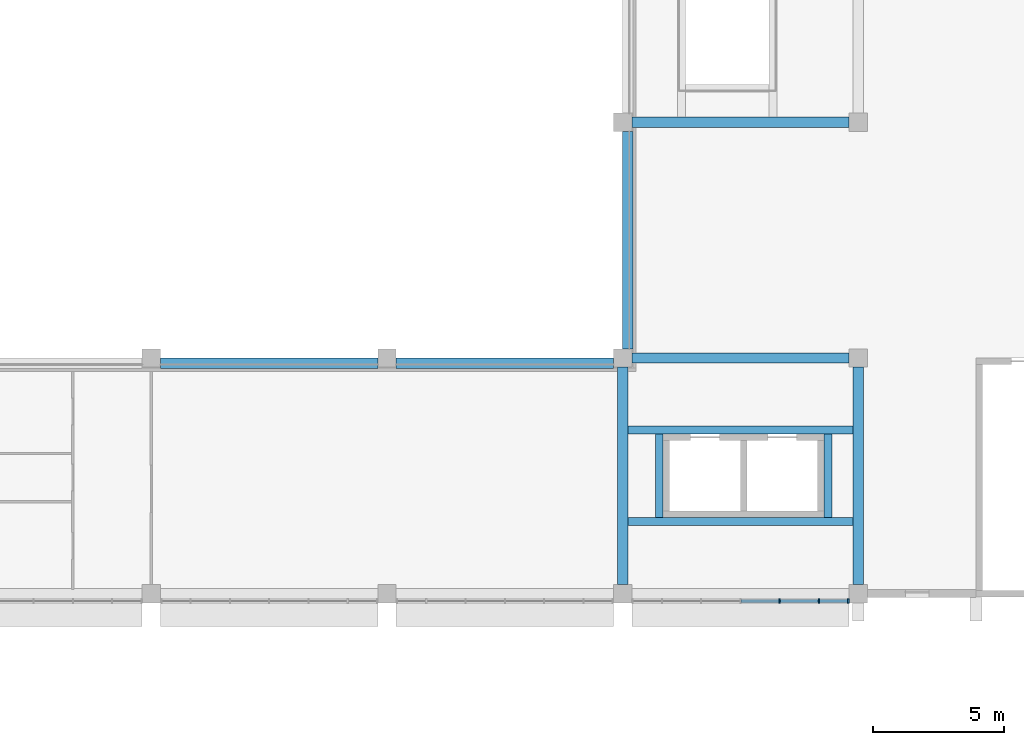
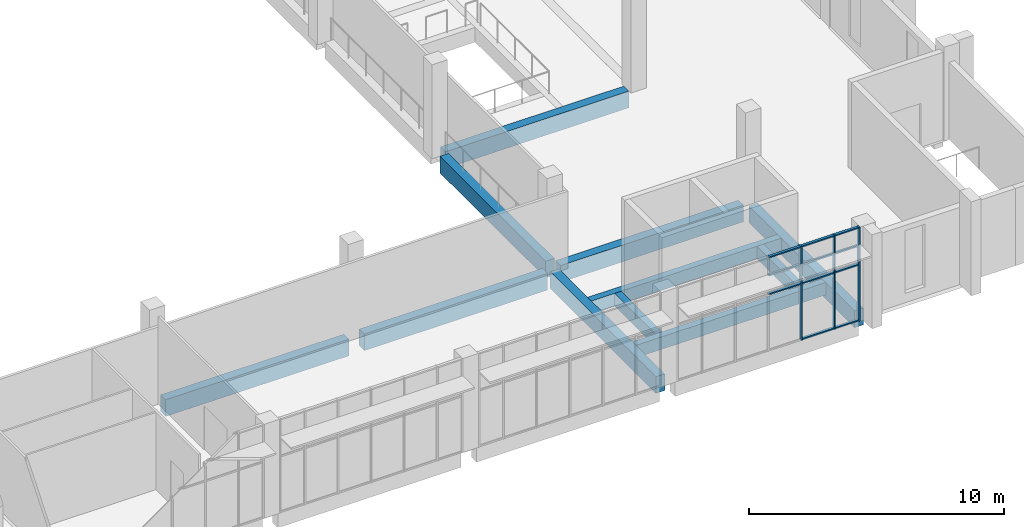
# One storey, part 6 of 40: 14 members, 11 beams, 1 element without a shape of its own.
"""IFC4 building model written with IfcOpenShell, lengths in metres."""

from ifc_helpers import new_model, si_unit, direction, frame, origin, origin_2d, place, context, subcontext, project, spatial, rectangle, extrude, material, layer, layer_set, material_profile, profile_set, type_object, element, aggregate, save


model = new_model("IFC4")

# Units and contexts
model_context = context("Model", 3, precision=1e-05, world=origin(), true_north=direction((0.0, 1.0)))
body_context = subcontext(model_context, "Body", "Model", "MODEL_VIEW")
ifc_project = project(units=[si_unit("LENGTHUNIT", "METRE"), si_unit("AREAUNIT", "SQUARE_METRE"), si_unit("VOLUMEUNIT", "CUBIC_METRE"), si_unit("PLANEANGLEUNIT", "RADIAN"), si_unit("MASSUNIT", "GRAM", prefix="KILO")], contexts=[model_context])

# Site, building, storey
site_placement = place(None, origin())
site = spatial("IfcSite", under=ifc_project, at=site_placement, CompositionType="ELEMENT")
building_placement = place(site_placement, origin())
building = spatial("IfcBuilding", under=site, at=building_placement, Name="Guidao Yard Department Store", CompositionType="ELEMENT")
storey_placement = place(building_placement, frame((0.0, 0.0, 24.0)))
storey = spatial("IfcBuildingStorey", under=building, at=storey_placement, Name="L05", CompositionType="ELEMENT", Elevation=24.0)

# Beams
ifc_material_1 = material(Name="Concrete C40", Category="concrete")
ifc_material_profile_1 = material_profile(ifc_material_1, rectangle(XDim=0.39990234375, YDim=0.800048828125, at=origin_2d()), Name="Edge beam 400 x 800 C40")
ifc_profile_set_1 = profile_set([ifc_material_profile_1], Name="Concrete C40")
beam_type_1 = type_object("IfcBeamType", Name="Edge beam 400 x 800 C40", PredefinedType="BEAM", material=ifc_profile_set_1)
for number, where, z_axis, x_axis, name in (
    (1, (27.35009765625, 53.800048828125, -0.39990234375), (1.0, 0.0, 0.0), (0.0, 1.0, 0.0), "Beam EB18"),
    (2, (36.35009765625, 53.800048828125, -0.39990234375), (1.0, 0.0, 0.0), (0.0, 1.0, 0.0), "Beam EB19"),
    (3, (45.199951171875, 54.35009765625, -0.39990234375), (0.0, 1.0, 0.0), (-1.0, 0.0, 0.0), "Beam EB20"),
    (4, (45.35009765625, 54.0, -0.39990234375), (1.0, 0.0, 0.0), (0.0, 1.0, 0.0), "Beam EB37"),
    (5, (45.0, 45.35009765625, -0.39990234375), (0.0, 1.0, 0.0), (-1.0, 0.0, 0.0), "Beam EB38"),
    (6, (54.0, 45.35009765625, -0.39990234375), (0.0, 1.0, 0.0), (-1.0, 0.0, 0.0), "Beam EB39"),
    (7, (45.35009765625, 63.0, -0.39990234375), (1.0, 0.0, 0.0), (0.0, 1.0, 0.0), "Beam EB40"),
):
    element("IfcBeam", number, at=place(storey_placement, frame(where, z_axis=z_axis, x_axis=x_axis)), inside=storey, type_object=beam_type_1, Name=name, PredefinedType="BEAM", context=body_context, shape_type="SweptSolid", body=[
        extrude(rectangle(XDim=0.39990234375, YDim=0.800048828125, at=origin_2d()), origin(), (0.0, 0.0, 1.0), 8.2998046875),
    ])

# Curtain wall, members
ifc_material_2 = material(Name="Aluminium and glass", Category="aluminium")
ifc_layer = layer(ifc_material_2, 0.159912109375)
ifc_layer_set = layer_set([ifc_layer], Name="Hall front curtain wall CW2 1500 module")
curtain_wall_type = type_object("IfcCurtainWallType", Name="Hall front curtain wall CW2 1500 module", PredefinedType="NOTDEFINED", material=ifc_layer_set)
curtain_wall_placement = place(storey_placement, origin())
curtain_wall = element("IfcCurtainWall", 8, at=curtain_wall_placement, inside=storey, type_object=curtain_wall_type, Name="Hall front curtain wall", PredefinedType="NOTDEFINED")
ifc_material_3 = material(Name="Aluminium 6063-T5", Category="aluminium")
ifc_material_profile_2 = material_profile(ifc_material_3, rectangle(XDim=0.06005859375, YDim=0.159912109375, at=origin_2d()), Name="Mullion M1 60 x 160 aluminium pressure plate")
ifc_profile_set_2 = profile_set([ifc_material_profile_2], Name="Aluminium 6063-T5")
member_type_1 = type_object("IfcMemberType", Name="Mullion M1 60 x 160 aluminium pressure plate", PredefinedType="MULLION", material=ifc_profile_set_2)
member_1_placement = place(storey_placement, frame((51.0, 44.719970703125, 0.0), z_axis=(0.0, 0.0, 1.0), x_axis=(-1.0, 0.0, 0.0)))
member_1 = element("IfcMember", 9, at=member_1_placement, type_object=member_type_1, Name="CW-HF-L05-05 mullion 5", PredefinedType="MULLION", context=body_context, shape_type="SweptSolid", body=[
    extrude(rectangle(XDim=0.06005859375, YDim=0.159912109375, at=origin_2d()), origin(), (0.0, 0.0, 1.0), 4.5),
])
member_2_placement = place(storey_placement, frame((52.5, 44.719970703125, 0.0), z_axis=(0.0, 0.0, 1.0), x_axis=(-1.0, 0.0, 0.0)))
member_2 = element("IfcMember", 10, at=member_2_placement, type_object=member_type_1, Name="CW-HF-L05-05 mullion 6", PredefinedType="MULLION", context=body_context, shape_type="SweptSolid", body=[
    extrude(rectangle(XDim=0.06005859375, YDim=0.159912109375, at=origin_2d()), origin(), (0.0, 0.0, 1.0), 4.5),
])
member_3_placement = place(storey_placement, frame((53.6201171875, 44.719970703125, 0.0), z_axis=(0.0, 0.0, 1.0), x_axis=(-1.0, 0.0, 0.0)))
member_3 = element("IfcMember", 11, at=member_3_placement, type_object=member_type_1, Name="CW-HF-L05-05 mullion 7", PredefinedType="MULLION", context=body_context, shape_type="SweptSolid", body=[
    extrude(rectangle(XDim=0.06005859375, YDim=0.159912109375, at=origin_2d()), origin(), (0.0, 0.0, 1.0), 4.5),
])

# Beams
ifc_material_4 = material(Name="Concrete C40", Category="concrete")
ifc_material_profile_3 = material_profile(ifc_material_4, rectangle(XDim=0.300048828125, YDim=0.60009765625, at=origin_2d()), Name="Opening beam 300 x 600 C40")
ifc_profile_set_3 = profile_set([ifc_material_profile_3], Name="Concrete C40")
beam_type_2 = type_object("IfcBeamType", Name="Opening beam 300 x 600 C40", PredefinedType="BEAM", material=ifc_profile_set_3)
for number, where, z_axis, x_axis, name in (
    (12, (45.199951171875, 47.75, -0.300048828125), (1.0, 0.0, 0.0), (0.0, 1.0, 0.0), "Beam OB09"),
    (13, (45.199951171875, 51.25, -0.300048828125), (1.0, 0.0, 0.0), (0.0, 1.0, 0.0), "Beam OB10"),
):
    element("IfcBeam", number, at=place(storey_placement, frame(where, z_axis=z_axis, x_axis=x_axis)), inside=storey, type_object=beam_type_2, Name=name, PredefinedType="BEAM", context=body_context, shape_type="SweptSolid", body=[
        extrude(rectangle(XDim=0.300048828125, YDim=0.60009765625, at=origin_2d()), origin(), (0.0, 0.0, 1.0), 8.60009765625),
    ])
for number, where, z_axis, x_axis, name in (
    (14, (46.39990234375, 47.89990234375, -0.300048828125), (0.0, 1.0, 0.0), (-1.0, 0.0, 0.0), "Beam OB11"),
    (15, (52.85009765625, 47.89990234375, -0.300048828125), (0.0, 1.0, 0.0), (-1.0, 0.0, 0.0), "Beam OB12"),
):
    element("IfcBeam", number, at=place(storey_placement, frame(where, z_axis=z_axis, x_axis=x_axis)), inside=storey, type_object=beam_type_2, Name=name, PredefinedType="BEAM", context=body_context, shape_type="SweptSolid", body=[
        extrude(rectangle(XDim=0.300048828125, YDim=0.60009765625, at=origin_2d()), origin(), (0.0, 0.0, 1.0), 3.2001953125),
    ])

# Member
ifc_material_5 = material(Name="Aluminium 6063-T5", Category="aluminium")
ifc_material_profile_4 = material_profile(ifc_material_5, rectangle(XDim=0.1201171875, YDim=0.06005859375, at=origin_2d()), Name="Transom T1 60 x 120 aluminium pressure plate")
ifc_profile_set_4 = profile_set([ifc_material_profile_4], Name="Aluminium 6063-T5")
member_type_2 = type_object("IfcMemberType", Name="Transom T1 60 x 120 aluminium pressure plate", PredefinedType="USERDEFINED", material=ifc_profile_set_4)
member_4_placement = place(storey_placement, frame((50.969970703125, 44.719970703125, 2.699951171875), z_axis=(-1.0, 0.0, 0.0), x_axis=(0.0, -1.0, 0.0)))
member_4 = element("IfcMember", 16, at=member_4_placement, type_object=member_type_2, Name="CW-HF-L05-05 transom 4.2", ObjectType="TRANSOM", PredefinedType="USERDEFINED", context=body_context, shape_type="SweptSolid", body=[
    extrude(rectangle(XDim=0.1201171875, YDim=0.06005859375, at=origin_2d()), origin(), (0.0, 0.0, 1.0), 1.43994140625),
])

member_5_placement = place(storey_placement, frame((50.969970703125, 44.719970703125, 3.60009765625), z_axis=(-1.0, 0.0, 0.0), x_axis=(0.0, -1.0, 0.0)))
member_5 = element("IfcMember", 17, at=member_5_placement, type_object=member_type_2, Name="CW-HF-L05-05 transom 4.3", ObjectType="TRANSOM", PredefinedType="USERDEFINED", context=body_context, shape_type="SweptSolid", body=[
    extrude(rectangle(XDim=0.1201171875, YDim=0.06005859375, at=origin_2d()), origin(), (0.0, 0.0, 1.0), 1.43994140625),
])

member_6_placement = place(storey_placement, frame((50.969970703125, 44.719970703125, 4.469970703125), z_axis=(-1.0, 0.0, 0.0), x_axis=(0.0, -1.0, 0.0)))
member_6 = element("IfcMember", 18, at=member_6_placement, type_object=member_type_2, Name="CW-HF-L05-05 transom 4.4", ObjectType="TRANSOM", PredefinedType="USERDEFINED", context=body_context, shape_type="SweptSolid", body=[
    extrude(rectangle(XDim=0.1201171875, YDim=0.06005859375, at=origin_2d()), origin(), (0.0, 0.0, 1.0), 1.43994140625),
])

member_7_placement = place(storey_placement, frame((52.469970703125, 44.719970703125, 0.030029296875), z_axis=(-1.0, 0.0, 0.0), x_axis=(0.0, -1.0, 0.0)))
member_7 = element("IfcMember", 19, at=member_7_placement, type_object=member_type_2, Name="CW-HF-L05-05 transom 5.1", ObjectType="TRANSOM", PredefinedType="USERDEFINED", context=body_context, shape_type="SweptSolid", body=[
    extrude(rectangle(XDim=0.1201171875, YDim=0.06005859375, at=origin_2d()), origin(), (0.0, 0.0, 1.0), 1.43994140625),
])

member_8_placement = place(storey_placement, frame((52.469970703125, 44.719970703125, 2.699951171875), z_axis=(-1.0, 0.0, 0.0), x_axis=(0.0, -1.0, 0.0)))
member_8 = element("IfcMember", 20, at=member_8_placement, type_object=member_type_2, Name="CW-HF-L05-05 transom 5.2", ObjectType="TRANSOM", PredefinedType="USERDEFINED", context=body_context, shape_type="SweptSolid", body=[
    extrude(rectangle(XDim=0.1201171875, YDim=0.06005859375, at=origin_2d()), origin(), (0.0, 0.0, 1.0), 1.43994140625),
])

member_9_placement = place(storey_placement, frame((52.469970703125, 44.719970703125, 3.60009765625), z_axis=(-1.0, 0.0, 0.0), x_axis=(0.0, -1.0, 0.0)))
member_9 = element("IfcMember", 21, at=member_9_placement, type_object=member_type_2, Name="CW-HF-L05-05 transom 5.3", ObjectType="TRANSOM", PredefinedType="USERDEFINED", context=body_context, shape_type="SweptSolid", body=[
    extrude(rectangle(XDim=0.1201171875, YDim=0.06005859375, at=origin_2d()), origin(), (0.0, 0.0, 1.0), 1.43994140625),
])

member_10_placement = place(storey_placement, frame((52.469970703125, 44.719970703125, 4.469970703125), z_axis=(-1.0, 0.0, 0.0), x_axis=(0.0, -1.0, 0.0)))
member_10 = element("IfcMember", 22, at=member_10_placement, type_object=member_type_2, Name="CW-HF-L05-05 transom 5.4", ObjectType="TRANSOM", PredefinedType="USERDEFINED", context=body_context, shape_type="SweptSolid", body=[
    extrude(rectangle(XDim=0.1201171875, YDim=0.06005859375, at=origin_2d()), origin(), (0.0, 0.0, 1.0), 1.43994140625),
])

member_11_placement = place(storey_placement, frame((53.590087890625, 44.719970703125, 0.030029296875), z_axis=(-1.0, 0.0, 0.0), x_axis=(0.0, -1.0, 0.0)))
member_11 = element("IfcMember", 23, at=member_11_placement, type_object=member_type_2, Name="CW-HF-L05-05 transom 6.1", ObjectType="TRANSOM", PredefinedType="USERDEFINED", context=body_context, shape_type="SweptSolid", body=[
    extrude(rectangle(XDim=0.1201171875, YDim=0.06005859375, at=origin_2d()), origin(), (0.0, 0.0, 1.0), 1.06005859375),
])

member_12_placement = place(storey_placement, frame((53.590087890625, 44.719970703125, 2.699951171875), z_axis=(-1.0, 0.0, 0.0), x_axis=(0.0, -1.0, 0.0)))
member_12 = element("IfcMember", 24, at=member_12_placement, type_object=member_type_2, Name="CW-HF-L05-05 transom 6.2", ObjectType="TRANSOM", PredefinedType="USERDEFINED", context=body_context, shape_type="SweptSolid", body=[
    extrude(rectangle(XDim=0.1201171875, YDim=0.06005859375, at=origin_2d()), origin(), (0.0, 0.0, 1.0), 1.06005859375),
])

member_13_placement = place(storey_placement, frame((53.590087890625, 44.719970703125, 3.60009765625), z_axis=(-1.0, 0.0, 0.0), x_axis=(0.0, -1.0, 0.0)))
member_13 = element("IfcMember", 25, at=member_13_placement, type_object=member_type_2, Name="CW-HF-L05-05 transom 6.3", ObjectType="TRANSOM", PredefinedType="USERDEFINED", context=body_context, shape_type="SweptSolid", body=[
    extrude(rectangle(XDim=0.1201171875, YDim=0.06005859375, at=origin_2d()), origin(), (0.0, 0.0, 1.0), 1.06005859375),
])

member_14_placement = place(storey_placement, frame((53.590087890625, 44.719970703125, 4.469970703125), z_axis=(-1.0, 0.0, 0.0), x_axis=(0.0, -1.0, 0.0)))
member_14 = element("IfcMember", 26, at=member_14_placement, type_object=member_type_2, Name="CW-HF-L05-05 transom 6.4", ObjectType="TRANSOM", PredefinedType="USERDEFINED", context=body_context, shape_type="SweptSolid", body=[
    extrude(rectangle(XDim=0.1201171875, YDim=0.06005859375, at=origin_2d()), origin(), (0.0, 0.0, 1.0), 1.06005859375),
])

aggregate(curtain_wall, [member_1, member_2, member_3, member_4, member_5, member_6, member_7, member_8, member_9, member_10, member_11, member_12, member_13, member_14])

save(model, "model.ifc")
